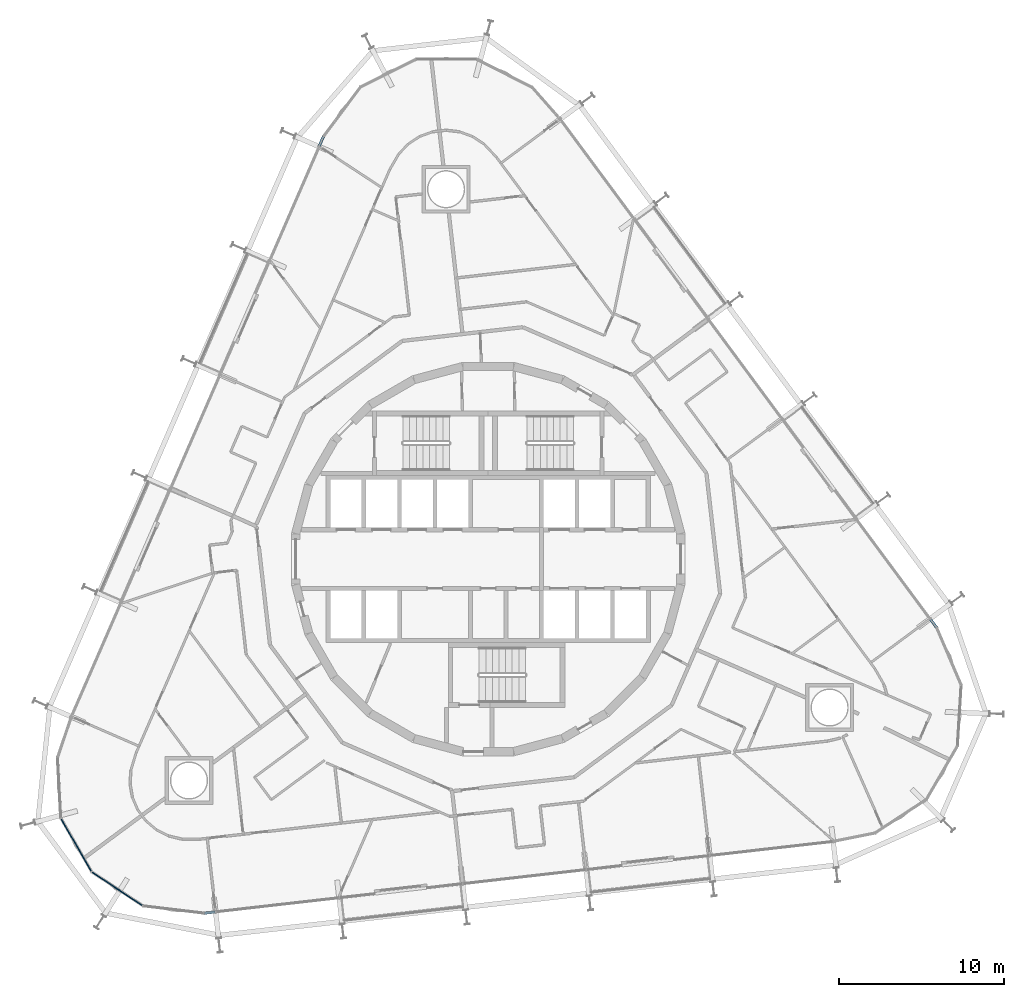
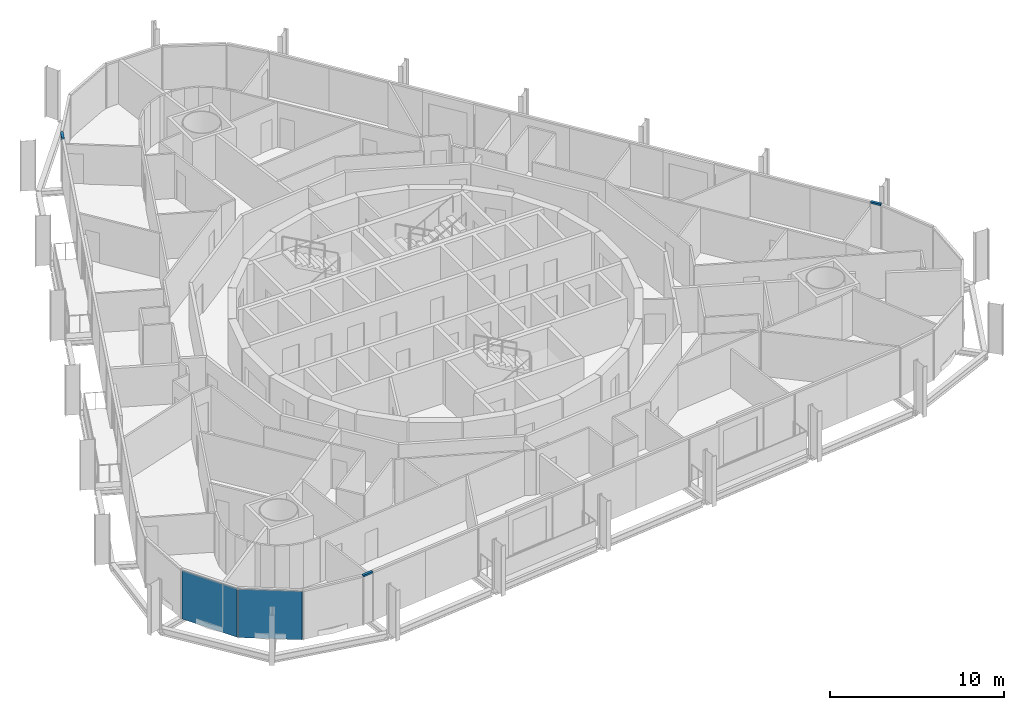
# One storey, part 12 of 23: 3 members, 2 plates, 3 elements without a shape of their own.
"""IFC4 building model written with IfcOpenShell, lengths in metres."""

from ifc_helpers import new_model, si_unit, direction, frame, origin, origin_2d, place, context, subcontext, project, spatial, rectangle, extrude, material, layer, layer_set, material_profile, profile_set, type_object, element, aggregate, save


model = new_model("IFC4")

# Units and contexts
model_context = context("Model", 3, precision=1e-05, world=origin(), true_north=direction((0.0, 1.0)))
body_context = subcontext(model_context, "Body", "Model", "MODEL_VIEW")
ifc_project = project(units=[si_unit("LENGTHUNIT", "METRE"), si_unit("AREAUNIT", "SQUARE_METRE"), si_unit("VOLUMEUNIT", "CUBIC_METRE"), si_unit("PLANEANGLEUNIT", "RADIAN"), si_unit("MASSUNIT", "GRAM", prefix="KILO")], contexts=[model_context])

# Site, building, storey
site_placement = place(None, origin())
site = spatial("IfcSite", under=ifc_project, at=site_placement, CompositionType="ELEMENT")
building_placement = place(site_placement, origin())
building = spatial("IfcBuilding", under=site, at=building_placement, Name="Spindle Arch Residences", CompositionType="ELEMENT")
storey_placement = place(building_placement, frame((0.0, 0.0, 83.699951171875)))
storey = spatial("IfcBuildingStorey", under=building, at=storey_placement, Name="L19", CompositionType="ELEMENT", Elevation=83.699951171875)

# Curtain wall, member
ifc_material_1 = material(Name="Aluminium bronze unitised frame with tinted glass", Category="aluminium")
ifc_layer_1 = layer(ifc_material_1, 0.159912109375)
ifc_layer_set_1 = layer_set([ifc_layer_1], Name="CW-D corner wall on the fillet arcs")
curtain_wall_type = type_object("IfcCurtainWallType", Name="CW-D corner wall on the fillet arcs", PredefinedType="NOTDEFINED", material=ifc_layer_set_1)
curtain_wall_1_placement = place(storey_placement, origin())
curtain_wall_1 = element("IfcCurtainWall", 1, at=curtain_wall_1_placement, inside=storey, type_object=curtain_wall_type, Name="CW-D L19 run 1", PredefinedType="NOTDEFINED")
ifc_material_2 = material(Name="Aluminium bronze anodised transom", Category="aluminium")
ifc_material_profile = material_profile(ifc_material_2, rectangle(XDim=0.159912109375, YDim=0.1201171875, at=origin_2d()), Name="TR 120x160")
ifc_profile_set = profile_set([ifc_material_profile], Name="Aluminium bronze anodised transom")
member_type = type_object("IfcMemberType", Name="Bronze transom 120x160", PredefinedType="USERDEFINED", material=ifc_profile_set)
member_1_placement = place(storey_placement, frame((27.125, -4.1474609375, 3.06005859375), z_axis=(-0.594872516249, 0.803820060344, 0.0), x_axis=(-0.803820060344, -0.594872516249, 0.0)))
member_1 = element("IfcMember", 2, at=member_1_placement, type_object=member_type, Name="CW-D transom 05", ObjectType="TRANSOM", PredefinedType="USERDEFINED", context=body_context, shape_type="SweptSolid", body=[
    extrude(rectangle(XDim=0.159912109375, YDim=0.1201171875, at=origin_2d()), origin(), (0.0, 0.0, 1.0), 0.641357421875),
])
aggregate(curtain_wall_1, [member_1])

curtain_wall_2_placement = place(storey_placement, origin())
curtain_wall_2 = element("IfcCurtainWall", 3, at=curtain_wall_2_placement, inside=storey, type_object=curtain_wall_type, Name="CW-D L19 run 3", PredefinedType="NOTDEFINED")
member_2_placement = place(storey_placement, frame((-9.970703125, 25.564697265625, 3.06005859375), z_axis=(-0.398461689222, -0.917184977102, 0.0), x_axis=(0.917184977102, -0.398461689222, 0.0)))
member_2 = element("IfcMember", 4, at=member_2_placement, type_object=member_type, Name="CW-D transom 05", ObjectType="TRANSOM", PredefinedType="USERDEFINED", context=body_context, shape_type="SweptSolid", body=[
    extrude(rectangle(XDim=0.159912109375, YDim=0.1201171875, at=origin_2d()), origin(), (0.0, 0.0, 1.0), 0.6416015625),
])
aggregate(curtain_wall_2, [member_2])

# Curtain wall, member, plates
curtain_wall_3_placement = place(storey_placement, origin())
curtain_wall_3 = element("IfcCurtainWall", 5, at=curtain_wall_3_placement, inside=storey, type_object=curtain_wall_type, Name="CW-D L19 run 5", PredefinedType="NOTDEFINED")
member_3_placement = place(storey_placement, frame((-17.154296875, -21.417236328125, 3.06005859375), z_axis=(0.993549832432, 0.113396342422, 0.0), x_axis=(-0.113396342422, 0.993549832432, 0.0)))
member_3 = element("IfcMember", 6, at=member_3_placement, type_object=member_type, Name="CW-D transom 05", ObjectType="TRANSOM", PredefinedType="USERDEFINED", context=body_context, shape_type="SweptSolid", body=[
    extrude(rectangle(XDim=0.159912109375, YDim=0.1201171875, at=origin_2d()), origin(), (0.0, 0.0, 1.0), 0.6416015625),
])
ifc_material_3 = material(Name="Tinted double glazing over aluminium faced non-combustible spandrel zone (K0)", Category="aluminium")
ifc_layer_2 = layer(ifc_material_3, 0.06005859375)
ifc_layer_set_2 = layer_set([ifc_layer_2], Name="Unitised glass panel with E 60 spandrel zone")
plate_type = type_object("IfcPlateType", Name="Unitised glass panel with E 60 spandrel zone", PredefinedType="CURTAIN_PANEL", material=ifc_layer_set_2)
plate_1_placement = place(storey_placement, frame((-24.919189453125, -17.3037109375, -0.3798828125), z_axis=(0.0, 0.0, 1.0), x_axis=(0.497478721595, -0.867476179247, 0.0)))
plate_1 = element("IfcPlate", 7, at=plate_1_placement, type_object=plate_type, Name="CW-D unit 02", PredefinedType="CURTAIN_PANEL", context=body_context, shape_type="SweptSolid", body=[
    extrude(rectangle(XDim=3.666748046875, YDim=0.06005859375, at=origin_2d()), origin(), (0.0, 0.0, 1.0), 3.3798828125),
])
plate_2_placement = place(storey_placement, frame((-22.438232421875, -19.94873046875, -0.3798828125), z_axis=(0.0, 0.0, 1.0), x_axis=(0.833885820352, -0.551936987903, 0.0)))
plate_2 = element("IfcPlate", 8, at=plate_2_placement, type_object=plate_type, Name="CW-D unit 03", PredefinedType="CURTAIN_PANEL", context=body_context, shape_type="SweptSolid", body=[
    extrude(rectangle(XDim=3.666748046875, YDim=0.06005859375, at=origin_2d()), origin(), (0.0, 0.0, 1.0), 3.3798828125),
])
aggregate(curtain_wall_3, [plate_1, plate_2, member_3])

save(model, "model.ifc")
